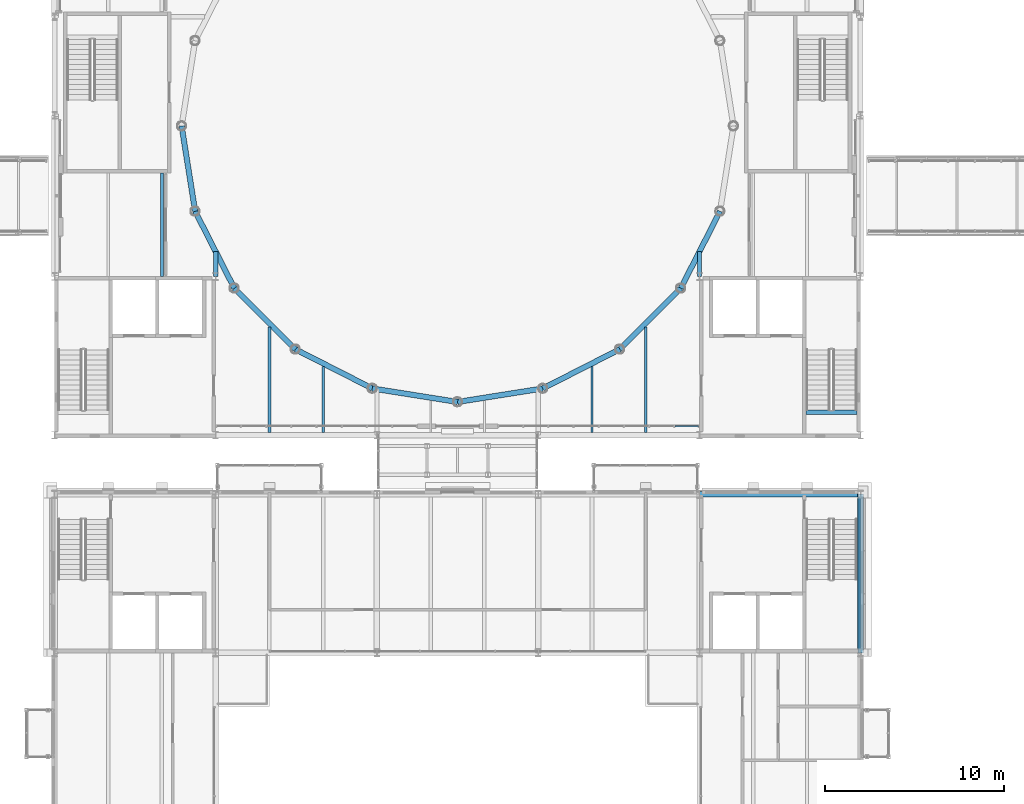
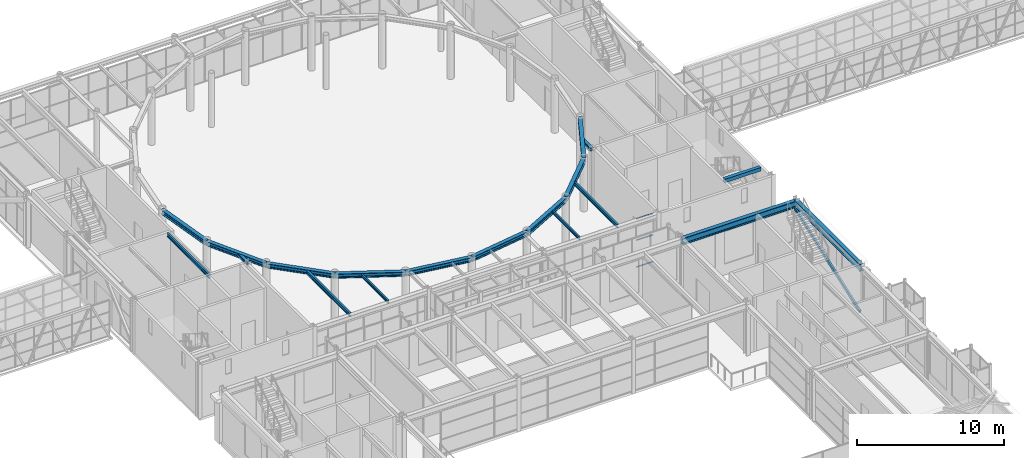
# One storey, part 51 of 149: 19 beams, 4 members, 1 element without a shape of its own.
"""IFC4 building model written with IfcOpenShell, lengths in metres."""

from ifc_helpers import new_model, si_unit, direction, frame, origin, origin_2d, place, context, subcontext, project, spatial, rectangle, hollow_rectangle, i_section, extrude, material, layer, layer_set, material_profile, profile_set, type_object, element, aggregate, save


model = new_model("IFC4")

# Units and contexts
model_context = context("Model", 3, precision=1e-05, world=origin(), true_north=direction((0.0, 1.0)))
body_context = subcontext(model_context, "Body", "Model", "MODEL_VIEW")
ifc_project = project(units=[si_unit("LENGTHUNIT", "METRE"), si_unit("AREAUNIT", "SQUARE_METRE"), si_unit("VOLUMEUNIT", "CUBIC_METRE"), si_unit("PLANEANGLEUNIT", "RADIAN"), si_unit("MASSUNIT", "GRAM", prefix="KILO")], contexts=[model_context])

# Site, building, storey
site_placement = place(None, origin())
site = spatial("IfcSite", under=ifc_project, at=site_placement, CompositionType="ELEMENT")
building_placement = place(site_placement, origin())
building = spatial("IfcBuilding", under=site, at=building_placement, Name="Kallimachos Central Library", CompositionType="ELEMENT")
storey_placement = place(building_placement, frame((0.0, 0.0, 9.89990234375)))
storey = spatial("IfcBuildingStorey", under=building, at=storey_placement, Name="L02", CompositionType="ELEMENT", Elevation=9.89990234375)

# Curtain wall, members
ifc_material_1 = material(Name="Anodised aluminium and laminated glass", Category="aluminium")
ifc_layer = layer(ifc_material_1, 0.159912109375)
ifc_layer_set = layer_set([ifc_layer], Name="Glass box curtain wall")
curtain_wall_type = type_object("IfcCurtainWallType", Name="Glass box curtain wall", PredefinedType="NOTDEFINED", material=ifc_layer_set)
curtain_wall_placement = place(storey_placement, origin())
curtain_wall = element("IfcCurtainWall", 1, at=curtain_wall_placement, inside=storey, type_object=curtain_wall_type, Name="Glass box curtain wall S L02", PredefinedType="NOTDEFINED")
ifc_material_2 = material(Name="Anodised aluminium", Category="aluminium")
ifc_material_profile_1 = material_profile(ifc_material_2, hollow_rectangle(XDim=0.06005859375, YDim=0.080078125, WallThickness=0.00390625, at=origin_2d()), Name="ALU TRANSOM 60x80")
ifc_profile_set_1 = profile_set([ifc_material_profile_1], Name="Anodised aluminium")
member_type_1 = type_object("IfcMemberType", Name="Glass box transom 60x80", PredefinedType="USERDEFINED", material=ifc_profile_set_1)
member_1_placement = place(storey_placement, frame((100.123779296875, 87.64990234375, 0.030029296875), z_axis=(1.0, 0.0, 0.0), x_axis=(0.0, 0.0, 1.0)))
member_1 = element("IfcMember", 2, at=member_1_placement, type_object=member_type_1, Name="CW13 transom 8.1", ObjectType="TRANSOM", PredefinedType="USERDEFINED", context=body_context, shape_type="SweptSolid", body=[
    extrude(hollow_rectangle(XDim=0.06005859375, YDim=0.080078125, WallThickness=0.00390625, at=origin_2d()), origin(), (0.0, 0.0, 1.0), 1.316162109375),
])
member_2_placement = place(storey_placement, frame((100.123779296875, 87.64990234375, 2.25), z_axis=(1.0, 0.0, 0.0), x_axis=(0.0, 0.0, 1.0)))
member_2 = element("IfcMember", 3, at=member_2_placement, type_object=member_type_1, Name="CW13 transom 8.2", ObjectType="TRANSOM", PredefinedType="USERDEFINED", context=body_context, shape_type="SweptSolid", body=[
    extrude(hollow_rectangle(XDim=0.06005859375, YDim=0.080078125, WallThickness=0.00390625, at=origin_2d()), origin(), (0.0, 0.0, 1.0), 1.316162109375),
])
member_3_placement = place(storey_placement, frame((100.123779296875, 87.64990234375, 4.02001953125), z_axis=(1.0, 0.0, 0.0), x_axis=(0.0, 0.0, 1.0)))
member_3 = element("IfcMember", 4, at=member_3_placement, type_object=member_type_1, Name="CW13 transom 8.3", ObjectType="TRANSOM", PredefinedType="USERDEFINED", context=body_context, shape_type="SweptSolid", body=[
    extrude(hollow_rectangle(XDim=0.06005859375, YDim=0.080078125, WallThickness=0.00390625, at=origin_2d()), origin(), (0.0, 0.0, 1.0), 1.316162109375),
])
aggregate(curtain_wall, [member_1, member_2, member_3])

# Beams
ifc_material_3 = material(Name="Steel S355J2", Category="steel")
ifc_material_profile_2 = material_profile(ifc_material_3, i_section(OverallWidth=0.239990234375, OverallDepth=0.22998046875, WebThickness=0.007568359375, FlangeThickness=0.011962890625, FilletRadius=0.02099609375, at=origin_2d()), Name="HEA 240")
ifc_profile_set_2 = profile_set([ifc_material_profile_2], Name="Steel S355J2")
beam_type_1 = type_object("IfcBeamType", Name="HEA 240 beam", PredefinedType="BEAM", material=ifc_profile_set_2)
for number, where, z_axis, x_axis, name in (
    (5, (74.5, 96.0, 4.235107421875), (0.0, 1.0, 0.0), (-1.0, 0.0, 0.0), "V1-BEM-L02-025"),
    (6, (101.5, 96.0, 4.235107421875), (0.0, 1.0, 0.0), (-1.0, 0.0, 0.0), "V1-BEM-L02-032"),
):
    element("IfcBeam", number, at=place(storey_placement, frame(where, z_axis=z_axis, x_axis=x_axis)), inside=storey, type_object=beam_type_1, Name=name, PredefinedType="BEAM", context=body_context, shape_type="SweptSolid", body=[
        extrude(i_section(OverallWidth=0.239990234375, OverallDepth=0.22998046875, WebThickness=0.007568359375, FlangeThickness=0.011962890625, FilletRadius=0.02099609375, at=origin_2d()), origin(), (0.0, 0.0, 1.0), 1.391357421875),
    ])
ifc_material_4 = material(Name="Steel S355J2", Category="steel")
ifc_material_profile_3 = material_profile(ifc_material_4, i_section(OverallWidth=0.300048828125, OverallDepth=0.360107421875, WebThickness=0.012451171875, FlangeThickness=0.0224609375, FilletRadius=0.027099609375, at=origin_2d()), Name="HEB 360")
ifc_profile_set_3 = profile_set([ifc_material_profile_3], Name="Steel S355J2")
beam_type_2 = type_object("IfcBeamType", Name="HEB 360 beam", PredefinedType="BEAM", material=ifc_profile_set_3)
for number, where, z_axis, x_axis, name in (
    (7, (72.60009765625, 104.39990234375, 4.170166015625), (0.156423119957, -0.987690137413, 0.0), (0.987690137413, 0.156423119957, 0.0), "V1-BEM-L02-011"),
    (8, (73.353759765625, 99.64111328125, 4.170166015625), (0.453970566426, -0.891016680438, 0.0), (0.891016680438, 0.453970566426, 0.0), "V1-BEM-L02-012"),
    (9, (75.541015625, 95.34814453125, 4.170166015625), (0.707106781187, -0.707106781187, 0.0), (0.707106781187, 0.707106781187, 0.0), "V1-BEM-L02-013"),
):
    element("IfcBeam", number, at=place(storey_placement, frame(where, z_axis=z_axis, x_axis=x_axis)), inside=storey, type_object=beam_type_2, Name=name, PredefinedType="BEAM", context=body_context, shape_type="SweptSolid", body=[
        extrude(i_section(OverallWidth=0.300048828125, OverallDepth=0.360107421875, WebThickness=0.012451171875, FlangeThickness=0.0224609375, FilletRadius=0.027099609375, at=origin_2d()), origin(), (0.0, 0.0, 1.0), 4.818115234375),
    ])
beam_1_placement = place(storey_placement, frame((78.947998046875, 91.941162109375, 4.170166015625), z_axis=(0.891006627269, -0.453990297432, 0.0), x_axis=(0.453990297432, 0.891006627269, 0.0)))
element("IfcBeam", 10, at=beam_1_placement, inside=storey, type_object=beam_type_2, Name="V1-BEM-L02-014", PredefinedType="BEAM", context=body_context, shape_type="SweptSolid", body=[
    extrude(i_section(OverallWidth=0.300048828125, OverallDepth=0.360107421875, WebThickness=0.012451171875, FlangeThickness=0.0224609375, FilletRadius=0.027099609375, at=origin_2d()), origin(), (0.0, 0.0, 1.0), 4.818359375),
])
for number, where, z_axis, x_axis, name in (
    (11, (83.2412109375, 89.753662109375, 4.170166015625), (0.987690137413, -0.156423119957, 0.0), (0.156423119957, 0.987690137413, 0.0), "V1-BEM-L02-015"),
    (12, (88.0, 89.0, 4.170166015625), (0.987690137413, 0.156423119957, 0.0), (-0.156423119957, 0.987690137413, 0.0), "V1-BEM-L02-016"),
):
    element("IfcBeam", number, at=place(storey_placement, frame(where, z_axis=z_axis, x_axis=x_axis)), inside=storey, type_object=beam_type_2, Name=name, PredefinedType="BEAM", context=body_context, shape_type="SweptSolid", body=[
        extrude(i_section(OverallWidth=0.300048828125, OverallDepth=0.360107421875, WebThickness=0.012451171875, FlangeThickness=0.0224609375, FilletRadius=0.027099609375, at=origin_2d()), origin(), (0.0, 0.0, 1.0), 4.818115234375),
    ])
beam_2_placement = place(storey_placement, frame((92.7587890625, 89.753662109375, 4.170166015625), z_axis=(0.891006627269, 0.453990297432, 0.0), x_axis=(-0.453990297432, 0.891006627269, 0.0)))
element("IfcBeam", 13, at=beam_2_placement, inside=storey, type_object=beam_type_2, Name="V1-BEM-L02-017", PredefinedType="BEAM", context=body_context, shape_type="SweptSolid", body=[
    extrude(i_section(OverallWidth=0.300048828125, OverallDepth=0.360107421875, WebThickness=0.012451171875, FlangeThickness=0.0224609375, FilletRadius=0.027099609375, at=origin_2d()), origin(), (0.0, 0.0, 1.0), 4.818359375),
])
for number, where, z_axis, x_axis, name in (
    (14, (97.052001953125, 91.941162109375, 4.170166015625), (0.707106781187, 0.707106781187, 0.0), (-0.707106781187, 0.707106781187, 0.0), "V1-BEM-L02-018"),
    (15, (100.458984375, 95.34814453125, 4.170166015625), (0.453970566426, 0.891016680438, 0.0), (-0.891016680438, 0.453970566426, 0.0), "V1-BEM-L02-019"),
):
    element("IfcBeam", number, at=place(storey_placement, frame(where, z_axis=z_axis, x_axis=x_axis)), inside=storey, type_object=beam_type_2, Name=name, PredefinedType="BEAM", context=body_context, shape_type="SweptSolid", body=[
        extrude(i_section(OverallWidth=0.300048828125, OverallDepth=0.360107421875, WebThickness=0.012451171875, FlangeThickness=0.0224609375, FilletRadius=0.027099609375, at=origin_2d()), origin(), (0.0, 0.0, 1.0), 4.818115234375),
    ])
ifc_material_5 = material(Name="Steel S355J2", Category="steel")
ifc_material_profile_4 = material_profile(ifc_material_5, i_section(OverallWidth=0.300048828125, OverallDepth=0.550048828125, WebThickness=0.014892578125, FlangeThickness=0.029052734375, FilletRadius=0.027099609375, at=origin_2d()), Name="HEB 550")
ifc_profile_set_4 = profile_set([ifc_material_profile_4], Name="Steel S355J2")
beam_type_3 = type_object("IfcBeamType", Name="HEB 550 beam", PredefinedType="BEAM", material=ifc_profile_set_4)
beam_3_placement = place(storey_placement, frame((101.5, 83.85009765625, 4.025146484375), z_axis=(1.0, 0.0, 0.0), x_axis=(0.0, 1.0, 0.0)))
element("IfcBeam", 16, at=beam_3_placement, inside=storey, type_object=beam_type_3, Name="V4-BEM-L02-008", PredefinedType="BEAM", context=body_context, shape_type="SweptSolid", body=[
    extrude(i_section(OverallWidth=0.300048828125, OverallDepth=0.550048828125, WebThickness=0.014892578125, FlangeThickness=0.029052734375, FilletRadius=0.027099609375, at=origin_2d()), origin(), (0.0, 0.0, 1.0), 9.0),
])
beam_4_placement = place(storey_placement, frame((110.5, 75.0, 4.025146484375), z_axis=(0.0, 1.0, 0.0), x_axis=(-1.0, 0.0, 0.0)))
element("IfcBeam", 17, at=beam_4_placement, inside=storey, type_object=beam_type_3, Name="V4-BEM-L02-014", PredefinedType="BEAM", context=body_context, shape_type="SweptSolid", body=[
    extrude(i_section(OverallWidth=0.300048828125, OverallDepth=0.550048828125, WebThickness=0.014892578125, FlangeThickness=0.029052734375, FilletRadius=0.027099609375, at=origin_2d()), origin(), (0.0, 0.0, 1.0), 8.85009765625),
])
ifc_material_6 = material(Name="Steel S355J2", Category="steel")
ifc_material_profile_5 = material_profile(ifc_material_6, i_section(OverallWidth=0.1201171875, OverallDepth=0.239990234375, WebThickness=0.006103515625, FlangeThickness=0.009765625, FilletRadius=0.014892578125, at=origin_2d()), Name="IPE 240")
ifc_profile_set_5 = profile_set([ifc_material_profile_5], Name="Steel S355J2")
beam_type_4 = type_object("IfcBeamType", Name="IPE 240 beam", PredefinedType="BEAM", material=ifc_profile_set_5)
for number, where, z_axis, x_axis, name in (
    (18, (80.5, 87.300048828125, 4.22998046875), (0.0, 1.0, 0.0), (-1.0, 0.0, 0.0), "V1-BEM-L02-055"),
    (19, (95.5, 87.300048828125, 4.22998046875), (0.0, 1.0, 0.0), (-1.0, 0.0, 0.0), "V1-BEM-L02-061"),
):
    element("IfcBeam", number, at=place(storey_placement, frame(where, z_axis=z_axis, x_axis=x_axis)), inside=storey, type_object=beam_type_4, Name=name, PredefinedType="BEAM", context=body_context, shape_type="SweptSolid", body=[
        extrude(i_section(OverallWidth=0.1201171875, OverallDepth=0.239990234375, WebThickness=0.006103515625, FlangeThickness=0.009765625, FilletRadius=0.014892578125, at=origin_2d()), origin(), (0.0, 0.0, 1.0), 3.681884765625),
    ])
ifc_material_7 = material(Name="Steel S355J2", Category="steel")
ifc_material_profile_6 = material_profile(ifc_material_7, i_section(OverallWidth=0.14990234375, OverallDepth=0.300048828125, WebThickness=0.007080078125, FlangeThickness=0.0107421875, FilletRadius=0.014892578125, at=origin_2d()), Name="IPE 300")
ifc_profile_set_6 = profile_set([ifc_material_profile_6], Name="Steel S355J2")
beam_type_5 = type_object("IfcBeamType", Name="IPE 300 beam", PredefinedType="BEAM", material=ifc_profile_set_6)
beam_5_placement = place(storey_placement, frame((71.5, 96.0048828125, 4.2001953125), z_axis=(0.0, 1.0, 0.0), x_axis=(-1.0, 0.0, 0.0)))
element("IfcBeam", 20, at=beam_5_placement, inside=storey, type_object=beam_type_5, Name="V1-BEM-L02-051", PredefinedType="BEAM", context=body_context, shape_type="SweptSolid", body=[
    extrude(i_section(OverallWidth=0.14990234375, OverallDepth=0.300048828125, WebThickness=0.007080078125, FlangeThickness=0.0107421875, FilletRadius=0.014892578125, at=origin_2d()), origin(), (0.0, 0.0, 1.0), 5.76513671875),
])
for number, where, z_axis, x_axis, name in (
    (21, (77.5, 87.300048828125, 4.2001953125), (0.0, 1.0, 0.0), (-1.0, 0.0, 0.0), "V1-BEM-L02-053"),
    (22, (98.5, 87.300048828125, 4.2001953125), (0.0, 1.0, 0.0), (-1.0, 0.0, 0.0), "V1-BEM-L02-063"),
):
    element("IfcBeam", number, at=place(storey_placement, frame(where, z_axis=z_axis, x_axis=x_axis)), inside=storey, type_object=beam_type_5, Name=name, PredefinedType="BEAM", context=body_context, shape_type="SweptSolid", body=[
        extrude(i_section(OverallWidth=0.14990234375, OverallDepth=0.300048828125, WebThickness=0.007080078125, FlangeThickness=0.0107421875, FilletRadius=0.014892578125, at=origin_2d()), origin(), (0.0, 0.0, 1.0), 5.876953125),
    ])
ifc_material_8 = material(Name="Concrete C30/37", Category="concrete")
ifc_material_profile_7 = material_profile(ifc_material_8, rectangle(XDim=0.260009765625, YDim=0.300048828125, at=origin_2d()), Name="RC stair trimmer beam 260 x 300")
ifc_profile_set_7 = profile_set([ifc_material_profile_7], Name="Concrete C30/37")
beam_type_6 = type_object("IfcBeamType", Name="RC stair trimmer beam 260 x 300", PredefinedType="BEAM", material=ifc_profile_set_7)
beam_6_placement = place(storey_placement, frame((110.300048828125, 88.424072265625, 4.2001953125), z_axis=(-1.0, 0.0, 0.0), x_axis=(0.0, -1.0, 0.0)))
element("IfcBeam", 23, at=beam_6_placement, inside=storey, type_object=beam_type_6, Name="Stair trimmer beam ST2 L02", PredefinedType="BEAM", context=body_context, shape_type="SweptSolid", body=[
    extrude(rectangle(XDim=0.260009765625, YDim=0.300048828125, at=origin_2d()), origin(), (0.0, 0.0, 1.0), 2.85009765625),
])

# Member
ifc_material_9 = material(Name="Steel S355J2H", Category="steel")
ifc_material_profile_8 = material_profile(ifc_material_9, hollow_rectangle(XDim=0.14990234375, YDim=0.25, WallThickness=0.010009765625, InnerFilletRadius=0.010009765625, OuterFilletRadius=0.014892578125, at=origin_2d()), Name="RHS 250x150x10")
ifc_profile_set_8 = profile_set([ifc_material_profile_8], Name="Steel S355J2H")
member_type_2 = type_object("IfcMemberType", Name="RHS 250x150x10 brace", PredefinedType="BRACE", material=ifc_profile_set_8)
member_4_placement = place(storey_placement, frame((110.39990234375, 75.0, 0.400146484375), z_axis=(0.0, 0.94041523715, 0.340028207264), x_axis=(-1.0, 0.0, 0.0)))
element("IfcMember", 24, at=member_4_placement, inside=storey, type_object=member_type_2, Name="V4-MEM-L02-002", PredefinedType="BRACE", context=body_context, shape_type="SweptSolid", body=[
    extrude(hollow_rectangle(XDim=0.14990234375, YDim=0.25, WallThickness=0.010009765625, InnerFilletRadius=0.010009765625, OuterFilletRadius=0.014892578125, at=origin_2d()), origin(), (0.0, 0.0, 1.0), 9.410888671875),
])

save(model, "model.ifc")
